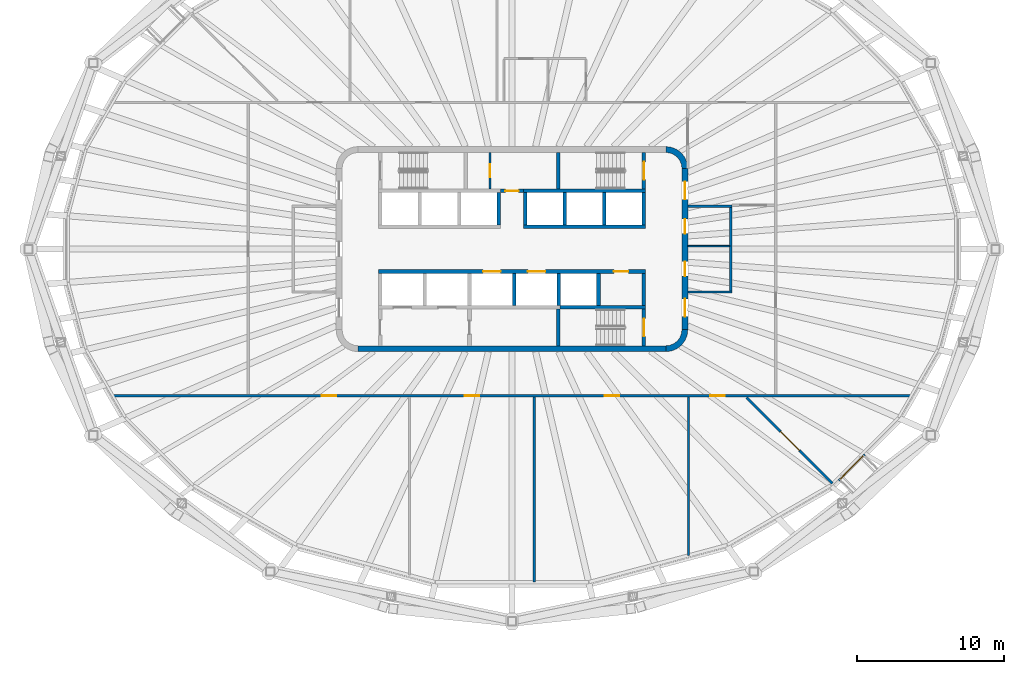
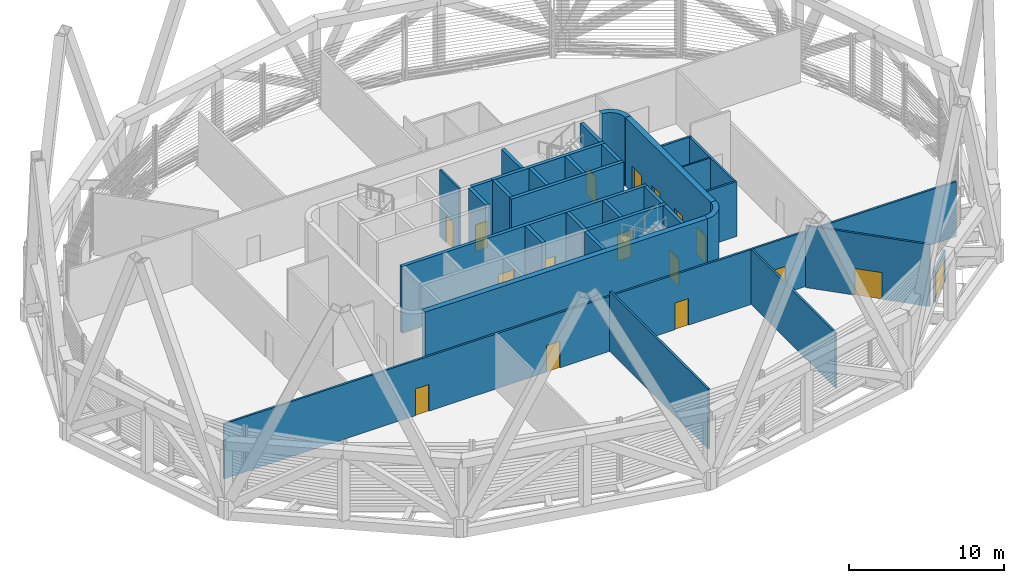
# One storey, part 6 of 17: 32 walls, 17 doors, 17 openings.
"""IFC4 building model written with IfcOpenShell, lengths in metres."""

from ifc_helpers import new_model, si_unit, direction, frame, frame_2d, origin, place, context, subcontext, project, spatial, polyline, rectangle, outline, extrude, material, layer, layer_set, type_object, element, fill, save


model = new_model("IFC4")

# Units and contexts
model_context = context("Model", 3, precision=1e-05, world=origin(), true_north=direction((0.0, 1.0)))
body_context = subcontext(model_context, "Body", "Model", "MODEL_VIEW")
ifc_project = project(units=[si_unit("LENGTHUNIT", "METRE"), si_unit("AREAUNIT", "SQUARE_METRE"), si_unit("VOLUMEUNIT", "CUBIC_METRE"), si_unit("PLANEANGLEUNIT", "RADIAN"), si_unit("MASSUNIT", "GRAM", prefix="KILO")], contexts=[model_context])

# Site, building, storey
site_placement = place(None, origin())
site = spatial("IfcSite", under=ifc_project, at=site_placement, CompositionType="ELEMENT")
building_placement = place(site_placement, origin())
building = spatial("IfcBuilding", under=site, at=building_placement, Name="Sahrelin Media Tower", CompositionType="ELEMENT")
storey_placement = place(building_placement, frame((0.0, 0.0, 249.60009765625)))
storey = spatial("IfcBuildingStorey", under=building, at=storey_placement, Name="L54", CompositionType="ELEMENT", Elevation=249.60009765625)

# Wall
ifc_material_1 = material(Name="Concrete C60/75", Category="concrete")
ifc_layer_1 = layer(ifc_material_1, 0.39990234375)
ifc_layer_set_1 = layer_set([ifc_layer_1], Name="Core wall 400")
wall_type_1 = type_object("IfcWallType", Name="Core wall 400", PredefinedType="SHEAR", material=ifc_layer_set_1)
wall_1_placement = place(storey_placement, frame((-10.5, -6.800048828125, 0.0), z_axis=(0.0, 0.0, 1.0), x_axis=(1.0, 0.0, 0.0)))
element("IfcWall", 1, at=wall_1_placement, inside=storey, type_object=wall_type_1, Name="Core wall S L54", PredefinedType="SHEAR", context=body_context, shape_type="SweptSolid", body=[
    extrude(rectangle(XDim=21.0, YDim=0.39990234375, at=frame_2d((10.5, 0.0))), origin(), (0.0, 0.0, 1.0), 5.39990234375),
])

# Wall, openings, doors
wall_2_placement = place(storey_placement, frame((11.800048828125, -5.5, 0.0), z_axis=(0.0, 0.0, 1.0), x_axis=(0.0, 1.0, 0.0)))
wall_2 = element("IfcWall", 2, at=wall_2_placement, inside=storey, type_object=wall_type_1, Name="Core wall E L54", PredefinedType="SHEAR", context=body_context, shape_type="SweptSolid", body=[
    extrude(rectangle(XDim=11.0, YDim=0.39990234375, at=frame_2d((5.5, 0.0))), origin(), (0.0, 0.0, 1.0), 5.39990234375),
])
opening_1_placement = place(wall_2_placement, frame((3.64990234375, 0.0, 0.0)))
opening_1 = element("IfcOpeningElement", 3, at=opening_1_placement, cuts=wall_2, Name="Opening L54-D10", PredefinedType="OPENING", context=body_context, shape_type="SweptSolid", body=[
    extrude(rectangle(XDim=1.0, YDim=2.10009765625, at=frame_2d((0.5, 1.050048828125))), frame((0.0, 0.199951171875, 0.0), z_axis=(0.0, -1.0, 0.0), x_axis=(1.0, 0.0, 0.0)), (0.0, 0.0, 1.0), 0.39990234375),
])
opening_2_placement = place(wall_2_placement, frame((6.550048828125, 0.0, 0.0)))
opening_2 = element("IfcOpeningElement", 4, at=opening_2_placement, cuts=wall_2, Name="Opening L54-D11", PredefinedType="OPENING", context=body_context, shape_type="SweptSolid", body=[
    extrude(rectangle(XDim=1.0, YDim=2.10009765625, at=frame_2d((0.5, 1.050048828125))), frame((0.0, 0.199951171875, 0.0), z_axis=(0.0, -1.0, 0.0), x_axis=(1.0, 0.0, 0.0)), (0.0, 0.0, 1.0), 0.39990234375),
])
opening_3_placement = place(wall_2_placement, frame((0.89990234375, 0.0, 0.0)))
opening_3 = element("IfcOpeningElement", 5, at=opening_3_placement, cuts=wall_2, Name="Opening L54-D14", PredefinedType="OPENING", context=body_context, shape_type="SweptSolid", body=[
    extrude(rectangle(XDim=1.199951171875, YDim=2.10009765625, at=frame_2d((0.60009765625, 1.050048828125))), frame((0.0, 0.199951171875, 0.0), z_axis=(0.0, -1.0, 0.0), x_axis=(1.0, 0.0, 0.0)), (0.0, 0.0, 1.0), 0.39990234375),
])
opening_4_placement = place(wall_2_placement, frame((8.89990234375, 0.0, 0.0)))
opening_4 = element("IfcOpeningElement", 6, at=opening_4_placement, cuts=wall_2, Name="Opening L54-D15", PredefinedType="OPENING", context=body_context, shape_type="SweptSolid", body=[
    extrude(rectangle(XDim=1.199951171875, YDim=2.10009765625, at=frame_2d((0.60009765625, 1.050048828125))), frame((0.0, 0.199951171875, 0.0), z_axis=(0.0, -1.0, 0.0), x_axis=(1.0, 0.0, 0.0)), (0.0, 0.0, 1.0), 0.39990234375),
])
ifc_material_2 = material(Name="Steel fire door leaf", Category="steel")
door_type_1 = type_object("IfcDoorType", Name="Fire door 1000 x 2100 EI 60", OperationType="NOTDEFINED", PredefinedType="DOOR", material=ifc_material_2)
door_1_placement = place(opening_1_placement, origin())
door_1 = element("IfcDoor", 7, at=door_1_placement, inside=storey, type_object=door_type_1, Name="Core room door", OperationType="SINGLE_SWING_RIGHT", OverallHeight=2.10009765625, OverallWidth=1.0, PredefinedType="DOOR", context=body_context, shape_type="SweptSolid", body=[
    extrude(rectangle(XDim=1.0, YDim=2.10009765625, at=frame_2d((0.5, 1.050048828125))), frame((0.0, 0.02490234375, 0.0), z_axis=(0.0, -1.0, 0.0), x_axis=(1.0, 0.0, 0.0)), (0.0, 0.0, 1.0), 0.050048828125),
])
fill(opening_1, door_1)
door_2_placement = place(opening_2_placement, origin())
door_2 = element("IfcDoor", 8, at=door_2_placement, inside=storey, type_object=door_type_1, Name="Core room door", OperationType="SINGLE_SWING_RIGHT", OverallHeight=2.10009765625, OverallWidth=1.0, PredefinedType="DOOR", context=body_context, shape_type="SweptSolid", body=[
    extrude(rectangle(XDim=1.0, YDim=2.10009765625, at=frame_2d((0.5, 1.050048828125))), frame((0.0, 0.02490234375, 0.0), z_axis=(0.0, -1.0, 0.0), x_axis=(1.0, 0.0, 0.0)), (0.0, 0.0, 1.0), 0.050048828125),
])
fill(opening_2, door_2)
door_type_2 = type_object("IfcDoorType", Name="Lobby door 1200 x 2100 EI 60", OperationType="NOTDEFINED", PredefinedType="DOOR", material=ifc_material_2)
door_3_placement = place(opening_3_placement, origin())
door_3 = element("IfcDoor", 9, at=door_3_placement, inside=storey, type_object=door_type_2, Name="Lobby door", OperationType="SINGLE_SWING_LEFT", OverallHeight=2.10009765625, OverallWidth=1.199951171875, PredefinedType="DOOR", context=body_context, shape_type="SweptSolid", body=[
    extrude(rectangle(XDim=1.199951171875, YDim=2.10009765625, at=frame_2d((0.60009765625, 1.050048828125))), frame((0.0, 0.02490234375, 0.0), z_axis=(0.0, -1.0, 0.0), x_axis=(1.0, 0.0, 0.0)), (0.0, 0.0, 1.0), 0.050048828125),
])
fill(opening_3, door_3)
door_4_placement = place(opening_4_placement, origin())
door_4 = element("IfcDoor", 10, at=door_4_placement, inside=storey, type_object=door_type_2, Name="Lobby door", OperationType="SINGLE_SWING_LEFT", OverallHeight=2.10009765625, OverallWidth=1.199951171875, PredefinedType="DOOR", context=body_context, shape_type="SweptSolid", body=[
    extrude(rectangle(XDim=1.199951171875, YDim=2.10009765625, at=frame_2d((0.60009765625, 1.050048828125))), frame((0.0, 0.02490234375, 0.0), z_axis=(0.0, -1.0, 0.0), x_axis=(1.0, 0.0, 0.0)), (0.0, 0.0, 1.0), 0.050048828125),
])
fill(opening_4, door_4)

# Walls
placement = place(storey_placement, origin())
element("IfcWall", 11, at=placement, inside=storey, type_object=wall_type_1, Name="Core wall corner NE L54", PredefinedType="SHEAR", context=body_context, shape_type="SweptSolid", body=[
    extrude(outline(polyline([(10.5, 7.0), (10.5, 6.596435546875), (10.78369140625, 6.55908203125), (11.04833984375, 6.44970703125), (11.275390625, 6.275390625), (11.44970703125, 6.04833984375), (11.55908203125, 5.78369140625), (11.596435546875, 5.5), (12.0, 5.5), (11.948974609375, 5.88818359375), (11.799072265625, 6.25), (11.560791015625, 6.560791015625), (11.25, 6.799072265625), (10.88818359375, 6.948974609375), (10.5, 7.0)])), origin(), (0.0, 0.0, 1.0), 5.39990234375),
])
element("IfcWall", 12, at=placement, inside=storey, type_object=wall_type_1, Name="Core wall corner SE L54", PredefinedType="SHEAR", context=body_context, shape_type="SweptSolid", body=[
    extrude(outline(polyline([(12.0, -5.5), (11.596435546875, -5.5), (11.55908203125, -5.78369140625), (11.44970703125, -6.04833984375), (11.275390625, -6.275390625), (11.04833984375, -6.44970703125), (10.78369140625, -6.55908203125), (10.5, -6.596435546875), (10.5, -7.0), (10.88818359375, -6.948974609375), (11.25, -6.799072265625), (11.560791015625, -6.560791015625), (11.799072265625, -6.25), (11.948974609375, -5.88818359375), (12.0, -5.5)])), origin(), (0.0, 0.0, 1.0), 5.39990234375),
])

# Wall, opening, door
ifc_material_3 = material(Name="Fire-rated gypsum board partition")
ifc_layer_2 = layer(ifc_material_3, 0.25)
ifc_layer_set_2 = layer_set([ifc_layer_2], Name="Fire-rated lobby wall 250")
wall_type_2 = type_object("IfcWallType", Name="Fire-rated lobby wall 250", PredefinedType="PARTITIONING", material=ifc_layer_set_2)
wall_5_placement = place(storey_placement, frame((-0.77490234375, 3.97509765625, 0.0), z_axis=(0.0, 0.0, 1.0), x_axis=(1.0, 0.0, 0.0)))
wall_5 = element("IfcWall", 13, at=wall_5_placement, inside=storey, type_object=wall_type_2, Name="Core lobby wall", PredefinedType="PARTITIONING", context=body_context, shape_type="SweptSolid", body=[
    extrude(rectangle(XDim=1.5498046875, YDim=0.25, at=frame_2d((0.77490234375, 0.0))), origin(), (0.0, 0.0, 1.0), 5.25),
])
opening_5_placement = place(wall_5_placement, frame((0.324951171875, 0.0, 0.0)))
opening_5 = element("IfcOpeningElement", 14, at=opening_5_placement, cuts=wall_5, Name="Opening L54-D06", PredefinedType="OPENING", context=body_context, shape_type="SweptSolid", body=[
    extrude(rectangle(XDim=0.89990234375, YDim=2.10009765625, at=frame_2d((0.449951171875, 1.050048828125))), frame((0.0, 0.125, 0.0), z_axis=(0.0, -1.0, 0.0), x_axis=(1.0, 0.0, 0.0)), (0.0, 0.0, 1.0), 0.25),
])
door_type_3 = type_object("IfcDoorType", Name="Riser door 900 x 2100 EI 120", OperationType="NOTDEFINED", PredefinedType="DOOR", material=ifc_material_2)
door_5_placement = place(opening_5_placement, origin())
door_5 = element("IfcDoor", 15, at=door_5_placement, inside=storey, type_object=door_type_3, Name="Core room door", OperationType="SINGLE_SWING_LEFT", OverallHeight=2.10009765625, OverallWidth=0.89990234375, PredefinedType="DOOR", context=body_context, shape_type="SweptSolid", body=[
    extrude(rectangle(XDim=0.89990234375, YDim=2.10009765625, at=frame_2d((0.449951171875, 1.050048828125))), frame((0.0, 0.02490234375, 0.0), z_axis=(0.0, -1.0, 0.0), x_axis=(1.0, 0.0, 0.0)), (0.0, 0.0, 1.0), 0.050048828125),
])
fill(opening_5, door_5)

# Wall
ifc_layer_3 = layer(ifc_material_3, 0.10009765625)
ifc_layer_set_3 = layer_set([ifc_layer_3], Name="Fire-rated partition 100")
wall_type_3 = type_object("IfcWallType", Name="Fire-rated partition 100", PredefinedType="PARTITIONING", material=ifc_layer_set_3)
wall_6_placement = place(storey_placement, frame((12.0, 0.199951171875, 0.0), z_axis=(0.0, 0.0, 1.0), x_axis=(1.0, 0.0, 0.0)))
element("IfcWall", 16, at=wall_6_placement, inside=storey, type_object=wall_type_3, Name="Core room partition", PredefinedType="PARTITIONING", context=body_context, shape_type="SweptSolid", body=[
    extrude(rectangle(XDim=2.85009765625, YDim=0.10009765625, at=frame_2d((1.425048828125, 0.0))), origin(), (0.0, 0.0, 1.0), 4.326904296875),
])

# Wall, opening, door
ifc_layer_4 = layer(ifc_material_3, 0.14990234375)
ifc_layer_set_4 = layer_set([ifc_layer_4], Name="Fire-rated partition 150")
wall_type_4 = type_object("IfcWallType", Name="Fire-rated partition 150", PredefinedType="PARTITIONING", material=ifc_layer_set_4)
wall_7_placement = place(storey_placement, frame((-1.5, 4.10009765625, 0.0), z_axis=(0.0, 0.0, 1.0), x_axis=(0.0, 1.0, 0.0)))
wall_7 = element("IfcWall", 17, at=wall_7_placement, inside=storey, type_object=wall_type_4, Name="Core room fire partition", PredefinedType="PARTITIONING", context=body_context, shape_type="SweptSolid", body=[
    extrude(rectangle(XDim=2.5, YDim=0.14990234375, at=frame_2d((1.25, 0.0))), origin(), (0.0, 0.0, 1.0), 5.25),
])
opening_6_placement = place(wall_7_placement, frame((0.800048828125, 0.0, 0.0)))
opening_6 = element("IfcOpeningElement", 18, at=opening_6_placement, cuts=wall_7, Name="Opening L54-D07", PredefinedType="OPENING", context=body_context, shape_type="SweptSolid", body=[
    extrude(rectangle(XDim=0.89990234375, YDim=2.10009765625, at=frame_2d((0.449951171875, 1.050048828125))), frame((0.0, 0.074951171875, 0.0), z_axis=(0.0, -1.0, 0.0), x_axis=(1.0, 0.0, 0.0)), (0.0, 0.0, 1.0), 0.14990234375),
])
door_type_4 = type_object("IfcDoorType", Name="Fire door 900 x 2100 EI 60", OperationType="NOTDEFINED", PredefinedType="DOOR", material=ifc_material_2)
door_6_placement = place(opening_6_placement, origin())
door_6 = element("IfcDoor", 19, at=door_6_placement, inside=storey, type_object=door_type_4, Name="Core room door", OperationType="SINGLE_SWING_LEFT", OverallHeight=2.10009765625, OverallWidth=0.89990234375, PredefinedType="DOOR", context=body_context, shape_type="SweptSolid", body=[
    extrude(rectangle(XDim=0.89990234375, YDim=2.10009765625, at=frame_2d((0.449951171875, 1.050048828125))), frame((0.0, 0.02490234375, 0.0), z_axis=(0.0, -1.0, 0.0), x_axis=(1.0, 0.0, 0.0)), (0.0, 0.0, 1.0), 0.050048828125),
])
fill(opening_6, door_6)

# Walls
wall_8_placement = place(storey_placement, frame((14.925048828125, -2.85009765625, 0.0), z_axis=(0.0, 0.0, 1.0), x_axis=(0.0, 1.0, 0.0)))
element("IfcWall", 20, at=wall_8_placement, inside=storey, type_object=wall_type_4, Name="Core room fire partition", PredefinedType="PARTITIONING", context=body_context, shape_type="SweptSolid", body=[
    extrude(rectangle(XDim=5.7001953125, YDim=0.14990234375, at=frame_2d((2.85009765625, 0.0))), origin(), (0.0, 0.0, 1.0), 4.318115234375),
])
for number, where, z_axis, x_axis, name in (
    (21, (12.0, 2.925048828125, 0.0), (0.0, 0.0, 1.0), (1.0, 0.0, 0.0), "Core room fire partition"),
    (22, (12.0, -2.925048828125, 0.0), (0.0, 0.0, 1.0), (1.0, 0.0, 0.0), "Core room fire partition"),
):
    element("IfcWall", number, at=place(storey_placement, frame(where, z_axis=z_axis, x_axis=x_axis)), inside=storey, type_object=wall_type_4, Name=name, PredefinedType="PARTITIONING", context=body_context, shape_type="SweptSolid", body=[
        extrude(rectangle(XDim=3.0, YDim=0.14990234375, at=frame_2d((1.5, 0.0))), origin(), (0.0, 0.0, 1.0), 4.326904296875),
    ])

# Wall, openings, doors
wall_9_placement = place(storey_placement, frame((-27.236572265625, -10.0, 0.0), z_axis=(0.0, 0.0, 1.0), x_axis=(1.0, 0.0, 0.0)))
wall_9 = element("IfcWall", 23, at=wall_9_placement, inside=storey, type_object=wall_type_4, Name="Wall", PredefinedType="PARTITIONING", context=body_context, shape_type="SweptSolid", body=[
    extrude(rectangle(XDim=54.47314453125, YDim=0.14990234375, at=frame_2d((27.236572265625, 0.0))), origin(), (0.0, 0.0, 1.0), 4.326904296875),
])
opening_7_placement = place(wall_9_placement, frame((14.25, 0.0, 0.0)))
opening_7 = element("IfcOpeningElement", 24, at=opening_7_placement, cuts=wall_9, Name="Opening L54-D18", PredefinedType="OPENING", context=body_context, shape_type="SweptSolid", body=[
    extrude(rectangle(XDim=1.0, YDim=2.10009765625, at=frame_2d((0.5, 1.050048828125))), frame((0.0, 0.074951171875, 0.0), z_axis=(0.0, -1.0, 0.0), x_axis=(1.0, 0.0, 0.0)), (0.0, 0.0, 1.0), 0.14990234375),
])
opening_8_placement = place(wall_9_placement, frame((24.0, 0.0, 0.0)))
opening_8 = element("IfcOpeningElement", 25, at=opening_8_placement, cuts=wall_9, Name="Opening L54-D19", PredefinedType="OPENING", context=body_context, shape_type="SweptSolid", body=[
    extrude(rectangle(XDim=1.0, YDim=2.10009765625, at=frame_2d((0.5, 1.050048828125))), frame((0.0, 0.074951171875, 0.0), z_axis=(0.0, -1.0, 0.0), x_axis=(1.0, 0.0, 0.0)), (0.0, 0.0, 1.0), 0.14990234375),
])
opening_9_placement = place(wall_9_placement, frame((33.550048828125, 0.0, 0.0)))
opening_9 = element("IfcOpeningElement", 26, at=opening_9_placement, cuts=wall_9, Name="Opening L54-D20", PredefinedType="OPENING", context=body_context, shape_type="SweptSolid", body=[
    extrude(rectangle(XDim=1.0, YDim=2.10009765625, at=frame_2d((0.5, 1.050048828125))), frame((0.0, 0.074951171875, 0.0), z_axis=(0.0, -1.0, 0.0), x_axis=(1.0, 0.0, 0.0)), (0.0, 0.0, 1.0), 0.14990234375),
])
opening_10_placement = place(wall_9_placement, frame((40.75, 0.0, 0.0)))
opening_10 = element("IfcOpeningElement", 27, at=opening_10_placement, cuts=wall_9, Name="Opening L54-D21", PredefinedType="OPENING", context=body_context, shape_type="SweptSolid", body=[
    extrude(rectangle(XDim=1.0, YDim=2.10009765625, at=frame_2d((0.5, 1.050048828125))), frame((0.0, 0.074951171875, 0.0), z_axis=(0.0, -1.0, 0.0), x_axis=(1.0, 0.0, 0.0)), (0.0, 0.0, 1.0), 0.14990234375),
])
door_7_placement = place(opening_7_placement, origin())
door_7 = element("IfcDoor", 28, at=door_7_placement, inside=storey, type_object=door_type_1, Name="Fire door", OperationType="SINGLE_SWING_LEFT", OverallHeight=2.10009765625, OverallWidth=1.0, PredefinedType="DOOR", context=body_context, shape_type="SweptSolid", body=[
    extrude(rectangle(XDim=1.0, YDim=2.10009765625, at=frame_2d((0.5, 1.050048828125))), frame((0.0, 0.02490234375, 0.0), z_axis=(0.0, -1.0, 0.0), x_axis=(1.0, 0.0, 0.0)), (0.0, 0.0, 1.0), 0.050048828125),
])
fill(opening_7, door_7)
door_8_placement = place(opening_8_placement, origin())
door_8 = element("IfcDoor", 29, at=door_8_placement, inside=storey, type_object=door_type_1, Name="Fire door", OperationType="SINGLE_SWING_LEFT", OverallHeight=2.10009765625, OverallWidth=1.0, PredefinedType="DOOR", context=body_context, shape_type="SweptSolid", body=[
    extrude(rectangle(XDim=1.0, YDim=2.10009765625, at=frame_2d((0.5, 1.050048828125))), frame((0.0, 0.02490234375, 0.0), z_axis=(0.0, -1.0, 0.0), x_axis=(1.0, 0.0, 0.0)), (0.0, 0.0, 1.0), 0.050048828125),
])
fill(opening_8, door_8)
door_9_placement = place(opening_9_placement, origin())
door_9 = element("IfcDoor", 30, at=door_9_placement, inside=storey, type_object=door_type_1, Name="Fire door", OperationType="SINGLE_SWING_RIGHT", OverallHeight=2.10009765625, OverallWidth=1.0, PredefinedType="DOOR", context=body_context, shape_type="SweptSolid", body=[
    extrude(rectangle(XDim=1.0, YDim=2.10009765625, at=frame_2d((0.5, 1.050048828125))), frame((0.0, 0.02490234375, 0.0), z_axis=(0.0, -1.0, 0.0), x_axis=(1.0, 0.0, 0.0)), (0.0, 0.0, 1.0), 0.050048828125),
])
fill(opening_9, door_9)
door_10_placement = place(opening_10_placement, origin())
door_10 = element("IfcDoor", 31, at=door_10_placement, inside=storey, type_object=door_type_1, Name="Fire door", OperationType="SINGLE_SWING_RIGHT", OverallHeight=2.10009765625, OverallWidth=1.0, PredefinedType="DOOR", context=body_context, shape_type="SweptSolid", body=[
    extrude(rectangle(XDim=1.0, YDim=2.10009765625, at=frame_2d((0.5, 1.050048828125))), frame((0.0, 0.02490234375, 0.0), z_axis=(0.0, -1.0, 0.0), x_axis=(1.0, 0.0, 0.0)), (0.0, 0.0, 1.0), 0.050048828125),
])
fill(opening_10, door_10)

# Wall, opening, door
wall_10_placement = place(storey_placement, frame((16.007568359375, -10.1279296875, 0.0), z_axis=(0.0, 0.0, 1.0), x_axis=(0.70709206344, -0.707121498627, 0.0)))
wall_10 = element("IfcWall", 32, at=wall_10_placement, inside=storey, type_object=wall_type_4, Name="Wall", PredefinedType="PARTITIONING", context=body_context, shape_type="SweptSolid", body=[
    extrude(rectangle(XDim=8.294189453125, YDim=0.14990234375, at=frame_2d((4.14697265625, 0.0))), origin(), (0.0, 0.0, 1.0), 4.875),
])
opening_11_placement = place(wall_10_placement, frame((3.297119140625, 0.0, 0.0)))
opening_11 = element("IfcOpeningElement", 33, at=opening_11_placement, cuts=wall_10, Name="Opening L54-D31", PredefinedType="OPENING", context=body_context, shape_type="SweptSolid", body=[
    extrude(rectangle(XDim=1.800048828125, YDim=2.10009765625, at=frame_2d((0.89990234375, 1.050048828125))), frame((0.0, 0.074951171875, 0.0), z_axis=(0.0, -1.0, 0.0), x_axis=(1.0, 0.0, 0.0)), (0.0, 0.0, 1.0), 0.14990234375),
])
door_type_5 = type_object("IfcDoorType", Name="Service double door 1800 x 2100 EI 60", OperationType="DOUBLE_DOOR_SINGLE_SWING", PredefinedType="DOOR", material=ifc_material_2)
door_11_placement = place(opening_11_placement, origin())
door_11 = element("IfcDoor", 34, at=door_11_placement, inside=storey, type_object=door_type_5, Name="Service double door", OperationType="DOUBLE_DOOR_SINGLE_SWING", OverallHeight=2.10009765625, OverallWidth=1.800048828125, PredefinedType="DOOR", context=body_context, shape_type="SweptSolid", body=[
    extrude(rectangle(XDim=1.800048828125, YDim=2.10009765625, at=frame_2d((0.89990234375, 1.050048828125))), frame((0.0, 0.02490234375, 0.0), z_axis=(0.0, -1.0, 0.0), x_axis=(1.0, 0.0, 0.0)), (0.0, 0.0, 1.0), 0.050048828125),
])
fill(opening_11, door_11)

# Walls
wall_11_placement = place(storey_placement, frame((1.52001953125, -10.074951171875, 0.0), z_axis=(0.0, 0.0, 1.0), x_axis=(0.0, -1.0, 0.0)))
element("IfcWall", 35, at=wall_11_placement, inside=storey, type_object=wall_type_4, Name="Wall", PredefinedType="PARTITIONING", context=body_context, shape_type="SweptSolid", body=[
    extrude(rectangle(XDim=12.647216796875, YDim=0.14990234375, at=frame_2d((6.32373046875, 0.0))), origin(), (0.0, 0.0, 1.0), 4.701416015625),
])
wall_12_placement = place(storey_placement, frame((12.050048828125, -10.074951171875, 0.0), z_axis=(0.0, 0.0, 1.0), x_axis=(0.0, -1.0, 0.0)))
element("IfcWall", 36, at=wall_12_placement, inside=storey, type_object=wall_type_4, Name="Wall", PredefinedType="PARTITIONING", context=body_context, shape_type="SweptSolid", body=[
    extrude(rectangle(XDim=10.82421875, YDim=0.14990234375, at=frame_2d((5.412109375, 0.0))), origin(), (0.0, 0.0, 1.0), 4.326904296875),
])
ifc_layer_5 = layer(ifc_material_1, 0.25)
ifc_layer_set_5 = layer_set([ifc_layer_5], Name="Lift shaft wall 250")
wall_type_5 = type_object("IfcWallType", Name="Lift shaft wall 250", PredefinedType="SOLIDWALL", material=ifc_layer_set_5)
for number, where, z_axis, x_axis, name in (
    (37, (0.77490234375, 1.52490234375, 0.0), (0.0, 0.0, 1.0), (1.0, 0.0, 0.0), "Lift shaft wall"),
    (38, (0.77490234375, 3.97509765625, 0.0), (0.0, 0.0, 1.0), (1.0, 0.0, 0.0), "Lift shaft wall"),
):
    element("IfcWall", number, at=place(storey_placement, frame(where, z_axis=z_axis, x_axis=x_axis)), inside=storey, type_object=wall_type_5, Name=name, PredefinedType="SOLIDWALL", context=body_context, shape_type="SweptSolid", body=[
        extrude(rectangle(XDim=8.35009765625, YDim=0.25, at=frame_2d((4.175048828125, 0.0))), origin(), (0.0, 0.0, 1.0), 5.25),
    ])
for number, where, z_axis, x_axis, name in (
    (39, (9.0, 1.64990234375, 0.0), (0.0, 0.0, 1.0), (0.0, 1.0, 0.0), "Lift shaft wall"),
    (40, (6.300048828125, 1.64990234375, 0.0), (0.0, 0.0, 1.0), (0.0, 1.0, 0.0), "Lift shaft wall"),
    (41, (3.60009765625, 1.64990234375, 0.0), (0.0, 0.0, 1.0), (0.0, 1.0, 0.0), "Lift shaft wall"),
    (42, (-0.89990234375, 1.64990234375, 0.0), (0.0, 0.0, 1.0), (0.0, 1.0, 0.0), "Lift shaft wall"),
    (43, (0.89990234375, 1.64990234375, 0.0), (0.0, 0.0, 1.0), (0.0, 1.0, 0.0), "Lift shaft wall"),
):
    element("IfcWall", number, at=place(storey_placement, frame(where, z_axis=z_axis, x_axis=x_axis)), inside=storey, type_object=wall_type_5, Name=name, PredefinedType="SOLIDWALL", context=body_context, shape_type="SweptSolid", body=[
        extrude(rectangle(XDim=2.2001953125, YDim=0.25, at=frame_2d((1.10009765625, 0.0))), origin(), (0.0, 0.0, 1.0), 5.25),
    ])

# Wall, openings, doors
wall_13_placement = place(storey_placement, frame((-9.125, -1.52490234375, 0.0), z_axis=(0.0, 0.0, 1.0), x_axis=(1.0, 0.0, 0.0)))
wall_13 = element("IfcWall", 44, at=wall_13_placement, inside=storey, type_object=wall_type_5, Name="Lift shaft wall", PredefinedType="SOLIDWALL", context=body_context, shape_type="SweptSolid", body=[
    extrude(rectangle(XDim=18.25, YDim=0.25, at=frame_2d((9.125, 0.0))), origin(), (0.0, 0.0, 1.0), 5.25),
])
opening_12_placement = place(wall_13_placement, frame((7.14990234375, 0.0, 0.0)))
opening_12 = element("IfcOpeningElement", 45, at=opening_12_placement, cuts=wall_13, Name="Opening L54-LD-SV1", PredefinedType="OPENING", context=body_context, shape_type="SweptSolid", body=[
    extrude(rectangle(XDim=1.199951171875, YDim=2.10009765625, at=frame_2d((0.60009765625, 1.050048828125))), frame((0.0, 0.125, 0.0), z_axis=(0.0, -1.0, 0.0), x_axis=(1.0, 0.0, 0.0)), (0.0, 0.0, 1.0), 0.25),
])
opening_13_placement = place(wall_13_placement, frame((10.199951171875, 0.0, 0.0)))
opening_13 = element("IfcOpeningElement", 46, at=opening_13_placement, cuts=wall_13, Name="Opening L54-LD-SV2", PredefinedType="OPENING", context=body_context, shape_type="SweptSolid", body=[
    extrude(rectangle(XDim=1.199951171875, YDim=2.10009765625, at=frame_2d((0.60009765625, 1.050048828125))), frame((0.0, 0.125, 0.0), z_axis=(0.0, -1.0, 0.0), x_axis=(1.0, 0.0, 0.0)), (0.0, 0.0, 1.0), 0.25),
])
opening_14_placement = place(wall_13_placement, frame((16.074951171875, 0.0, 0.0)))
opening_14 = element("IfcOpeningElement", 47, at=opening_14_placement, cuts=wall_13, Name="Opening L54-D08", PredefinedType="OPENING", context=body_context, shape_type="SweptSolid", body=[
    extrude(rectangle(XDim=1.0, YDim=2.10009765625, at=frame_2d((0.5, 1.050048828125))), frame((0.0, 0.125, 0.0), z_axis=(0.0, -1.0, 0.0), x_axis=(1.0, 0.0, 0.0)), (0.0, 0.0, 1.0), 0.25),
])
door_12_placement = place(opening_14_placement, origin())
door_12 = element("IfcDoor", 48, at=door_12_placement, inside=storey, type_object=door_type_1, Name="Core room door", OperationType="SINGLE_SWING_RIGHT", OverallHeight=2.10009765625, OverallWidth=1.0, PredefinedType="DOOR", context=body_context, shape_type="SweptSolid", body=[
    extrude(rectangle(XDim=1.0, YDim=2.10009765625, at=frame_2d((0.5, 1.050048828125))), frame((0.0, 0.02490234375, 0.0), z_axis=(0.0, -1.0, 0.0), x_axis=(1.0, 0.0, 0.0)), (0.0, 0.0, 1.0), 0.050048828125),
])
fill(opening_14, door_12)
ifc_material_4 = material(Name="Stainless steel", Category="steel")
door_type_6 = type_object("IfcDoorType", Name="Lift landing door 1200 x 2100 EI 120", OperationType="DOUBLE_DOOR_SLIDING", PredefinedType="DOOR", material=ifc_material_4)
door_13_placement = place(opening_12_placement, origin())
door_13 = element("IfcDoor", 49, at=door_13_placement, inside=storey, type_object=door_type_6, Name="Lift landing door SV1", OperationType="DOUBLE_DOOR_SLIDING", OverallHeight=2.10009765625, OverallWidth=1.199951171875, PredefinedType="DOOR", context=body_context, shape_type="SweptSolid", body=[
    extrude(rectangle(XDim=1.199951171875, YDim=2.10009765625, at=frame_2d((0.60009765625, 1.050048828125))), frame((0.0, 0.02490234375, 0.0), z_axis=(0.0, -1.0, 0.0), x_axis=(1.0, 0.0, 0.0)), (0.0, 0.0, 1.0), 0.050048828125),
])
fill(opening_12, door_13)
door_14_placement = place(opening_13_placement, origin())
door_14 = element("IfcDoor", 50, at=door_14_placement, inside=storey, type_object=door_type_6, Name="Lift landing door SV2", OperationType="DOUBLE_DOOR_SLIDING", OverallHeight=2.10009765625, OverallWidth=1.199951171875, PredefinedType="DOOR", context=body_context, shape_type="SweptSolid", body=[
    extrude(rectangle(XDim=1.199951171875, YDim=2.10009765625, at=frame_2d((0.60009765625, 1.050048828125))), frame((0.0, 0.02490234375, 0.0), z_axis=(0.0, -1.0, 0.0), x_axis=(1.0, 0.0, 0.0)), (0.0, 0.0, 1.0), 0.050048828125),
])
fill(opening_13, door_14)

# Walls
wall_14_placement = place(storey_placement, frame((3.27490234375, -3.97509765625, 0.0), z_axis=(0.0, 0.0, 1.0), x_axis=(1.0, 0.0, 0.0)))
element("IfcWall", 51, at=wall_14_placement, inside=storey, type_object=wall_type_5, Name="Lift shaft wall", PredefinedType="SOLIDWALL", context=body_context, shape_type="SweptSolid", body=[
    extrude(rectangle(XDim=5.85009765625, YDim=0.25, at=frame_2d((2.925048828125, 0.0))), origin(), (0.0, 0.0, 1.0), 5.25),
])
for number, where, z_axis, x_axis, name in (
    (52, (0.14990234375, -3.85009765625, 0.0), (0.0, 0.0, 1.0), (0.0, 1.0, 0.0), "Lift shaft wall"),
    (53, (3.199951171875, -3.85009765625, 0.0), (0.0, 0.0, 1.0), (0.0, 1.0, 0.0), "Lift shaft wall"),
    (54, (5.89990234375, -3.85009765625, 0.0), (0.0, 0.0, 1.0), (0.0, 1.0, 0.0), "Lift shaft wall"),
    (55, (9.0, -3.85009765625, 0.0), (0.0, 0.0, 1.0), (0.0, 1.0, 0.0), "Lift shaft wall"),
):
    element("IfcWall", number, at=place(storey_placement, frame(where, z_axis=z_axis, x_axis=x_axis)), inside=storey, type_object=wall_type_5, Name=name, PredefinedType="SOLIDWALL", context=body_context, shape_type="SweptSolid", body=[
        extrude(rectangle(XDim=2.2001953125, YDim=0.25, at=frame_2d((1.10009765625, 0.0))), origin(), (0.0, 0.0, 1.0), 5.25),
    ])

# Wall, opening, door
ifc_material_5 = material(Name="Aluminium louvre cladding 6063-T6", Category="aluminium")
ifc_layer_6 = layer(ifc_material_5, 0.14990234375)
ifc_layer_set_6 = layer_set([ifc_layer_6], Name="Plant louvre door wall")
wall_type_6 = type_object("IfcWallType", Name="Plant louvre door wall", PredefinedType="SOLIDWALL", material=ifc_layer_set_6)
wall_15_placement = place(storey_placement, frame((24.064453125, -14.012939453125, 0.0), z_axis=(0.0, 0.0, 1.0), x_axis=(-0.707106781187, -0.707106781187, 0.0)))
wall_15 = element("IfcWall", 56, at=wall_15_placement, inside=storey, type_object=wall_type_6, Name="Plant louvre door wall L54-21", PredefinedType="SOLIDWALL", context=body_context, shape_type="SweptSolid", body=[
    extrude(rectangle(XDim=2.5, YDim=0.14990234375, at=frame_2d((1.25, 0.0))), origin(), (0.0, 0.0, 1.0), 2.5),
])
opening_15_placement = place(wall_15_placement, frame((0.14990234375, 0.0, 0.0)))
opening_15 = element("IfcOpeningElement", 57, at=opening_15_placement, cuts=wall_15, Name="Opening MD10", PredefinedType="OPENING", context=body_context, shape_type="SweptSolid", body=[
    extrude(rectangle(XDim=2.199951171875, YDim=2.10009765625, at=frame_2d((1.10009765625, 1.050048828125))), frame((0.0, 0.074951171875, 0.0), z_axis=(0.0, -1.0, 0.0), x_axis=(1.0, 0.0, 0.0)), (0.0, 0.0, 1.0), 0.14990234375),
])
ifc_material_6 = material(Name="Champagne anodised aluminium 6063-T6", Category="aluminium")
door_type_7 = type_object("IfcDoorType", Name="Plant maintenance door 2200x2100", OperationType="DOUBLE_DOOR_SINGLE_SWING", PredefinedType="DOOR", material=ifc_material_6)
door_15_placement = place(opening_15_placement, origin())
door_15 = element("IfcDoor", 58, at=door_15_placement, inside=storey, type_object=door_type_7, Name="Plant maintenance door MD10", OperationType="DOUBLE_DOOR_SINGLE_SWING", OverallHeight=2.10009765625, OverallWidth=2.199951171875, PredefinedType="DOOR", context=body_context, shape_type="SweptSolid", body=[
    extrude(rectangle(XDim=2.199951171875, YDim=2.10009765625, at=frame_2d((1.10009765625, 1.050048828125))), frame((0.0, 0.02490234375, 0.0), z_axis=(0.0, -1.0, 0.0), x_axis=(1.0, 0.0, 0.0)), (0.0, 0.0, 1.0), 0.050048828125),
])
fill(opening_15, door_15)

ifc_layer_7 = layer(ifc_material_1, 0.25)
ifc_layer_set_7 = layer_set([ifc_layer_7], Name="Stair enclosure wall 250")
wall_type_7 = type_object("IfcWallType", Name="Stair enclosure wall 250", PredefinedType="SOLIDWALL", material=ifc_layer_set_7)
wall_16_placement = place(storey_placement, frame((9.0, 4.10009765625, 0.0), z_axis=(0.0, 0.0, 1.0), x_axis=(0.0, 1.0, 0.0)))
wall_16 = element("IfcWall", 59, at=wall_16_placement, inside=storey, type_object=wall_type_7, Name="Stair enclosure wall", PredefinedType="SOLIDWALL", context=body_context, shape_type="SweptSolid", body=[
    extrude(rectangle(XDim=2.5, YDim=0.25, at=frame_2d((1.25, 0.0))), origin(), (0.0, 0.0, 1.0), 5.25),
])
opening_16_placement = place(wall_16_placement, frame((0.64990234375, 0.0, 0.0)))
opening_16 = element("IfcOpeningElement", 60, at=opening_16_placement, cuts=wall_16, Name="Opening L54-D02", PredefinedType="OPENING", context=body_context, shape_type="SweptSolid", body=[
    extrude(rectangle(XDim=1.199951171875, YDim=2.10009765625, at=frame_2d((0.60009765625, 1.050048828125))), frame((0.0, 0.125, 0.0), z_axis=(0.0, -1.0, 0.0), x_axis=(1.0, 0.0, 0.0)), (0.0, 0.0, 1.0), 0.25),
])
door_type_8 = type_object("IfcDoorType", Name="Stair door 1200 x 2100 EI 120", OperationType="NOTDEFINED", PredefinedType="DOOR", material=ifc_material_2)
door_16_placement = place(opening_16_placement, origin())
door_16 = element("IfcDoor", 61, at=door_16_placement, inside=storey, type_object=door_type_8, Name="Stair door ST3", OperationType="SINGLE_SWING_LEFT", OverallHeight=2.10009765625, OverallWidth=1.199951171875, PredefinedType="DOOR", context=body_context, shape_type="SweptSolid", body=[
    extrude(rectangle(XDim=1.199951171875, YDim=2.10009765625, at=frame_2d((0.60009765625, 1.050048828125))), frame((0.0, 0.02490234375, 0.0), z_axis=(0.0, -1.0, 0.0), x_axis=(1.0, 0.0, 0.0)), (0.0, 0.0, 1.0), 0.050048828125),
])
fill(opening_16, door_16)

wall_17_placement = place(storey_placement, frame((9.0, -6.60009765625, 0.0), z_axis=(0.0, 0.0, 1.0), x_axis=(0.0, 1.0, 0.0)))
wall_17 = element("IfcWall", 62, at=wall_17_placement, inside=storey, type_object=wall_type_7, Name="Stair enclosure wall", PredefinedType="SOLIDWALL", context=body_context, shape_type="SweptSolid", body=[
    extrude(rectangle(XDim=2.5, YDim=0.25, at=frame_2d((1.25, 0.0))), origin(), (0.0, 0.0, 1.0), 5.25),
])
opening_17_placement = place(wall_17_placement, frame((0.64990234375, 0.0, 0.0)))
opening_17 = element("IfcOpeningElement", 63, at=opening_17_placement, cuts=wall_17, Name="Opening L54-D03", PredefinedType="OPENING", context=body_context, shape_type="SweptSolid", body=[
    extrude(rectangle(XDim=1.199951171875, YDim=2.10009765625, at=frame_2d((0.60009765625, 1.050048828125))), frame((0.0, 0.125, 0.0), z_axis=(0.0, -1.0, 0.0), x_axis=(1.0, 0.0, 0.0)), (0.0, 0.0, 1.0), 0.25),
])
door_17_placement = place(opening_17_placement, origin())
door_17 = element("IfcDoor", 64, at=door_17_placement, inside=storey, type_object=door_type_8, Name="Stair door ST2", OperationType="SINGLE_SWING_LEFT", OverallHeight=2.10009765625, OverallWidth=1.199951171875, PredefinedType="DOOR", context=body_context, shape_type="SweptSolid", body=[
    extrude(rectangle(XDim=1.199951171875, YDim=2.10009765625, at=frame_2d((0.60009765625, 1.050048828125))), frame((0.0, 0.02490234375, 0.0), z_axis=(0.0, -1.0, 0.0), x_axis=(1.0, 0.0, 0.0)), (0.0, 0.0, 1.0), 0.050048828125),
])
fill(opening_17, door_17)

# Walls
for number, where, z_axis, x_axis, name in (
    (65, (3.14990234375, 4.10009765625, 0.0), (0.0, 0.0, 1.0), (0.0, 1.0, 0.0), "Stair enclosure wall"),
    (66, (3.14990234375, -6.60009765625, 0.0), (0.0, 0.0, 1.0), (0.0, 1.0, 0.0), "Stair enclosure wall"),
):
    element("IfcWall", number, at=place(storey_placement, frame(where, z_axis=z_axis, x_axis=x_axis)), inside=storey, type_object=wall_type_7, Name=name, PredefinedType="SOLIDWALL", context=body_context, shape_type="SweptSolid", body=[
        extrude(rectangle(XDim=2.5, YDim=0.25, at=frame_2d((1.25, 0.0))), origin(), (0.0, 0.0, 1.0), 5.25),
    ])

save(model, "model.ifc")
